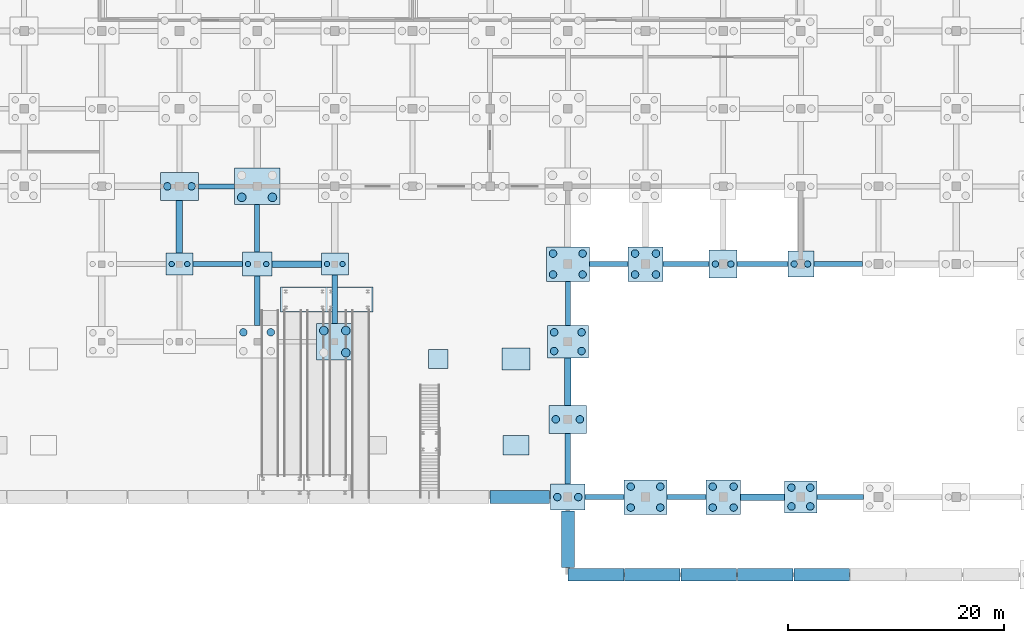
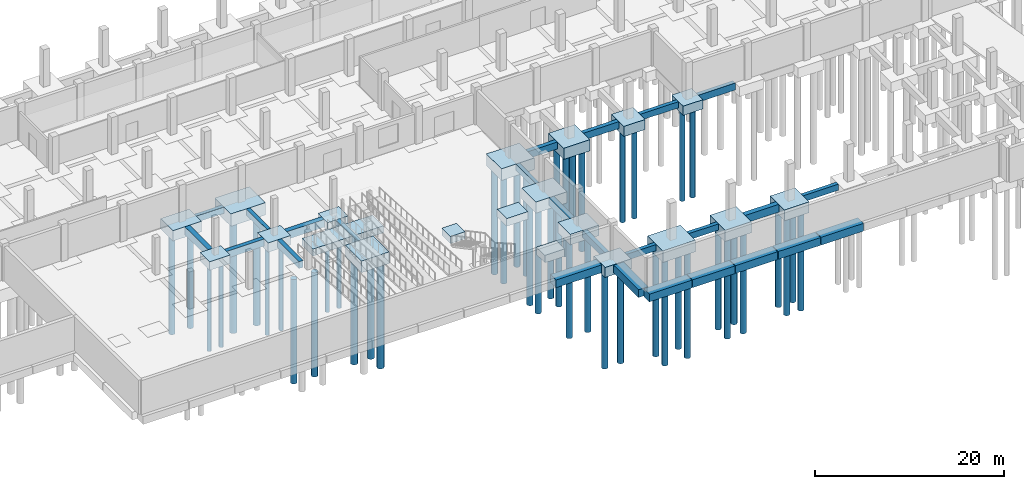
# One storey, part 4 of 38: 47 piles, 45 footings.
"""IFC4 building model written with IfcOpenShell, lengths in metres."""

from ifc_helpers import new_model, si_unit, direction, frame, origin, origin_2d, place, context, subcontext, project, spatial, rectangle, circle, extrude, material, material_profile, profile_set, type_object, element, save


model = new_model("IFC4")

# Units and contexts
model_context = context("Model", 3, precision=1e-05, world=origin(), true_north=direction((0.0, 1.0)))
body_context = subcontext(model_context, "Body", "Model", "MODEL_VIEW")
ifc_project = project(units=[si_unit("LENGTHUNIT", "METRE"), si_unit("AREAUNIT", "SQUARE_METRE"), si_unit("VOLUMEUNIT", "CUBIC_METRE"), si_unit("PLANEANGLEUNIT", "RADIAN"), si_unit("MASSUNIT", "GRAM", prefix="KILO")], contexts=[model_context])

# Site, building, storey
site_placement = place(None, origin())
site = spatial("IfcSite", under=ifc_project, at=site_placement, CompositionType="ELEMENT")
building_placement = place(site_placement, origin())
building = spatial("IfcBuilding", under=site, at=building_placement, Name="Valkovuoma Quantum and Materials Research Institute", CompositionType="ELEMENT")
storey_placement = place(building_placement, frame((0.0, 0.0, -4.800048828125)))
storey = spatial("IfcBuildingStorey", under=building, at=storey_placement, Name="B1", CompositionType="ELEMENT", Elevation=-4.800048828125)

# Footings
ifc_material_1 = material(Name="Concrete C35/45", Category="concrete")
footing_type_1 = type_object("IfcFootingType", Name="Cap-PC-01", PredefinedType="PILE_CAP", material=ifc_material_1)
for number, where, z_axis, x_axis, name in (
    (1, (64.800048828125, 28.800048828125, -1.10009765625), (0.0, 0.0, 1.0), (1.0, 0.0, 0.0), "B1 pile cap 10E"),
    (2, (79.199951171875, 28.800048828125, -1.10009765625), (0.0, 0.0, 1.0), (1.0, 0.0, 0.0), "B1 pile cap 12E"),
):
    element("IfcFooting", number, at=place(storey_placement, frame(where, z_axis=z_axis, x_axis=x_axis)), inside=storey, type_object=footing_type_1, Name=name, PredefinedType="PILE_CAP", context=body_context, shape_type="SweptSolid", body=[
        extrude(rectangle(XDim=2.5, YDim=2.0, at=origin_2d()), origin(), (0.0, 0.0, 1.0), 1.10009765625),
    ])
ifc_material_2 = material(Name="Concrete C35/45", Category="concrete")
footing_type_2 = type_object("IfcFootingType", Name="Cap-PC-02", PredefinedType="PILE_CAP", material=ifc_material_2)
footing_1_placement = place(storey_placement, frame((72.0, 28.800048828125, -1.19970703125), z_axis=(0.0, 0.0, 1.0), x_axis=(1.0, 0.0, 0.0)))
element("IfcFooting", 3, at=footing_1_placement, inside=storey, type_object=footing_type_2, Name="B1 pile cap 11E", PredefinedType="PILE_CAP", context=body_context, shape_type="SweptSolid", body=[
    extrude(rectangle(XDim=2.75, YDim=2.199951171875, at=origin_2d()), origin(), (0.0, 0.0, 1.0), 1.199951171875),
])
ifc_material_3 = material(Name="Concrete C35/45", Category="concrete")
footing_type_3 = type_object("IfcFootingType", Name="Cap-PC-03", PredefinedType="PILE_CAP", material=ifc_material_3)
footing_2_placement = place(storey_placement, frame((122.39990234375, 28.800048828125, -1.19970703125), z_axis=(0.0, 0.0, 1.0), x_axis=(1.0, 0.0, 0.0)))
element("IfcFooting", 4, at=footing_2_placement, inside=storey, type_object=footing_type_3, Name="B1 pile cap 18E", PredefinedType="PILE_CAP", context=body_context, shape_type="SweptSolid", body=[
    extrude(rectangle(XDim=2.39990234375, YDim=2.39990234375, at=origin_2d()), origin(), (0.0, 0.0, 1.0), 1.199951171875),
])
ifc_material_4 = material(Name="Concrete C35/45", Category="concrete")
footing_type_4 = type_object("IfcFootingType", Name="Cap-PC-04", PredefinedType="PILE_CAP", material=ifc_material_4)
footing_3_placement = place(storey_placement, frame((115.199951171875, 28.800048828125, -1.2998046875), z_axis=(0.0, 0.0, 1.0), x_axis=(1.0, 0.0, 0.0)))
element("IfcFooting", 5, at=footing_3_placement, inside=storey, type_object=footing_type_4, Name="B1 pile cap 17E", PredefinedType="PILE_CAP", context=body_context, shape_type="SweptSolid", body=[
    extrude(rectangle(XDim=2.60009765625, YDim=2.60009765625, at=origin_2d()), origin(), (0.0, 0.0, 1.0), 1.300048828125),
])
ifc_material_5 = material(Name="Concrete C35/45", Category="concrete")
footing_type_5 = type_object("IfcFootingType", Name="Cap-PC-06", PredefinedType="PILE_CAP", material=ifc_material_5)
footing_4_placement = place(storey_placement, frame((122.39990234375, 7.199951171875, -1.39990234375), z_axis=(0.0, 0.0, 1.0), x_axis=(1.0, 0.0, 0.0)))
element("IfcFooting", 6, at=footing_4_placement, inside=storey, type_object=footing_type_5, Name="B1 pile cap 18B", PredefinedType="PILE_CAP", context=body_context, shape_type="SweptSolid", body=[
    extrude(rectangle(XDim=3.0, YDim=3.0, at=origin_2d()), origin(), (0.0, 0.0, 1.0), 1.39990234375),
])
ifc_material_6 = material(Name="Concrete C35/45", Category="concrete")
footing_type_6 = type_object("IfcFootingType", Name="Cap-PC-07", PredefinedType="PILE_CAP", material=ifc_material_6)
for number, where, z_axis, x_axis, name in (
    (7, (108.0, 28.800048828125, -1.44970703125), (0.0, 0.0, 1.0), (1.0, 0.0, 0.0), "B1 pile cap 16E"),
    (8, (115.199951171875, 7.199951171875, -1.44970703125), (0.0, 0.0, 1.0), (1.0, 0.0, 0.0), "B1 pile cap 17B"),
):
    element("IfcFooting", number, at=place(storey_placement, frame(where, z_axis=z_axis, x_axis=x_axis)), inside=storey, type_object=footing_type_6, Name=name, PredefinedType="PILE_CAP", context=body_context, shape_type="SweptSolid", body=[
        extrude(rectangle(XDim=3.199951171875, YDim=3.199951171875, at=origin_2d()), origin(), (0.0, 0.0, 1.0), 1.449951171875),
    ])
ifc_material_7 = material(Name="Concrete C35/45", Category="concrete")
footing_type_7 = type_object("IfcFootingType", Name="Cap-PC-08", PredefinedType="PILE_CAP", material=ifc_material_7)
footing_5_placement = place(storey_placement, frame((79.199951171875, 21.60009765625, -1.5), z_axis=(0.0, 0.0, 1.0), x_axis=(1.0, 0.0, 0.0)))
element("IfcFooting", 9, at=footing_5_placement, inside=storey, type_object=footing_type_7, Name="B1 pile cap 12D", PredefinedType="PILE_CAP", context=body_context, shape_type="SweptSolid", body=[
    extrude(rectangle(XDim=3.39990234375, YDim=3.39990234375, at=origin_2d()), origin(), (0.0, 0.0, 1.0), 1.5),
])
ifc_material_8 = material(Name="Concrete C35/45", Category="concrete")
footing_type_8 = type_object("IfcFootingType", Name="Cap-PC-12", PredefinedType="PILE_CAP", material=ifc_material_8)
footing_6_placement = place(storey_placement, frame((100.800048828125, 7.199951171875, -1.2998046875), z_axis=(0.0, 0.0, 1.0), x_axis=(1.0, 0.0, 0.0)))
element("IfcFooting", 10, at=footing_6_placement, inside=storey, type_object=footing_type_8, Name="B1 pile cap 15B", PredefinedType="PILE_CAP", context=body_context, shape_type="SweptSolid", body=[
    extrude(rectangle(XDim=3.199951171875, YDim=2.39990234375, at=origin_2d()), origin(), (0.0, 0.0, 1.0), 1.300048828125),
])
ifc_material_9 = material(Name="Concrete C35/45", Category="concrete")
footing_type_9 = type_object("IfcFootingType", Name="Cap-PC-13", PredefinedType="PILE_CAP", material=ifc_material_9)
for number, where, z_axis, x_axis, name in (
    (11, (64.800048828125, 36.0, -1.35009765625), (0.0, 0.0, 1.0), (1.0, 0.0, 0.0), "B1 pile cap 10F"),
    (12, (100.800048828125, 14.39990234375, -1.35009765625), (0.0, 0.0, 1.0), (1.0, 0.0, 0.0), "B1 pile cap 15C"),
):
    element("IfcFooting", number, at=place(storey_placement, frame(where, z_axis=z_axis, x_axis=x_axis)), inside=storey, type_object=footing_type_9, Name=name, PredefinedType="PILE_CAP", context=body_context, shape_type="SweptSolid", body=[
        extrude(rectangle(XDim=3.5, YDim=2.60009765625, at=origin_2d()), origin(), (0.0, 0.0, 1.0), 1.35009765625),
    ])
ifc_material_10 = material(Name="Concrete C35/45", Category="concrete")
footing_type_10 = type_object("IfcFootingType", Name="Cap-PC-14", PredefinedType="PILE_CAP", material=ifc_material_10)
footing_7_placement = place(storey_placement, frame((100.800048828125, 21.60009765625, -1.44970703125), z_axis=(0.0, 0.0, 1.0), x_axis=(1.0, 0.0, 0.0)))
element("IfcFooting", 13, at=footing_7_placement, inside=storey, type_object=footing_type_10, Name="B1 pile cap 15D", PredefinedType="PILE_CAP", context=body_context, shape_type="SweptSolid", body=[
    extrude(rectangle(XDim=3.800048828125, YDim=3.0, at=origin_2d()), origin(), (0.0, 0.0, 1.0), 1.449951171875),
])
ifc_material_11 = material(Name="Concrete C35/45", Category="concrete")
footing_type_11 = type_object("IfcFootingType", Name="Cap-PC-15", PredefinedType="PILE_CAP", material=ifc_material_11)
for number, where, z_axis, x_axis, name in (
    (14, (100.800048828125, 28.800048828125, -1.5), (0.0, 0.0, 1.0), (1.0, 0.0, 0.0), "B1 pile cap 15E"),
    (15, (108.0, 7.199951171875, -1.5), (0.0, 0.0, 1.0), (1.0, 0.0, 0.0), "B1 pile cap 16B"),
):
    element("IfcFooting", number, at=place(storey_placement, frame(where, z_axis=z_axis, x_axis=x_axis)), inside=storey, type_object=footing_type_11, Name=name, PredefinedType="PILE_CAP", context=body_context, shape_type="SweptSolid", body=[
        extrude(rectangle(XDim=4.0, YDim=3.199951171875, at=origin_2d()), origin(), (0.0, 0.0, 1.0), 1.5),
    ])
ifc_material_12 = material(Name="Concrete C35/45", Category="concrete")
footing_type_12 = type_object("IfcFootingType", Name="Cap-PC-16", PredefinedType="PILE_CAP", material=ifc_material_12)
footing_8_placement = place(storey_placement, frame((72.0, 36.0, -1.60009765625), z_axis=(0.0, 0.0, 1.0), x_axis=(1.0, 0.0, 0.0)))
element("IfcFooting", 16, at=footing_8_placement, inside=storey, type_object=footing_type_12, Name="B1 pile cap 11F", PredefinedType="PILE_CAP", context=body_context, shape_type="SweptSolid", body=[
    extrude(rectangle(XDim=4.199951171875, YDim=3.39990234375, at=origin_2d()), origin(), (0.0, 0.0, 1.0), 1.60009765625),
])
ifc_material_13 = material(Name="Concrete C35/45", Category="concrete")
footing_type_13 = type_object("IfcFootingType", Name="GndBeam-FB-01", PredefinedType="FOOTING_BEAM", material=ifc_material_13)
footing_9_placement = place(storey_placement, frame((68.22509765625, 36.0, -0.7998046875), z_axis=(0.0, 0.0, 1.0), x_axis=(1.0, 0.0, 0.0)))
element("IfcFooting", 17, at=footing_9_placement, inside=storey, type_object=footing_type_13, Name="B1 ground tie beam X-177", PredefinedType="FOOTING_BEAM", context=body_context, shape_type="SweptSolid", body=[
    extrude(rectangle(XDim=3.35009765625, YDim=0.449951171875, at=origin_2d()), origin(), (0.0, 0.0, 1.0), 0.800048828125),
])
footing_10_placement = place(storey_placement, frame((72.0, 32.10009765625, -0.7998046875), z_axis=(0.0, 0.0, 1.0), x_axis=(0.0, 1.0, 0.0)))
element("IfcFooting", 18, at=footing_10_placement, inside=storey, type_object=footing_type_13, Name="B1 ground tie beam Y-189", PredefinedType="FOOTING_BEAM", context=body_context, shape_type="SweptSolid", body=[
    extrude(rectangle(XDim=4.39990234375, YDim=0.449951171875, at=origin_2d()), origin(), (0.0, 0.0, 1.0), 0.800048828125),
])
footing_11_placement = place(storey_placement, frame((104.199951171875, 7.199951171875, -0.7998046875), z_axis=(0.0, 0.0, 1.0), x_axis=(1.0, 0.0, 0.0)))
element("IfcFooting", 19, at=footing_11_placement, inside=storey, type_object=footing_type_13, Name="B1 ground tie beam X-228", PredefinedType="FOOTING_BEAM", context=body_context, shape_type="SweptSolid", body=[
    extrude(rectangle(XDim=3.60009765625, YDim=0.449951171875, at=origin_2d()), origin(), (0.0, 0.0, 1.0), 0.800048828125),
])
footing_12_placement = place(storey_placement, frame((100.800048828125, 25.14990234375, -0.7998046875), z_axis=(0.0, 0.0, 1.0), x_axis=(0.0, 1.0, 0.0)))
element("IfcFooting", 20, at=footing_12_placement, inside=storey, type_object=footing_type_13, Name="B1 ground tie beam Y-231", PredefinedType="FOOTING_BEAM", context=body_context, shape_type="SweptSolid", body=[
    extrude(rectangle(XDim=4.10009765625, YDim=0.449951171875, at=origin_2d()), origin(), (0.0, 0.0, 1.0), 0.800048828125),
])
footing_13_placement = place(storey_placement, frame((111.800048828125, 7.199951171875, -0.7998046875), z_axis=(0.0, 0.0, 1.0), x_axis=(1.0, 0.0, 0.0)))
element("IfcFooting", 21, at=footing_13_placement, inside=storey, type_object=footing_type_13, Name="B1 ground tie beam X-243", PredefinedType="FOOTING_BEAM", context=body_context, shape_type="SweptSolid", body=[
    extrude(rectangle(XDim=3.60009765625, YDim=0.449951171875, at=origin_2d()), origin(), (0.0, 0.0, 1.0), 0.800048828125),
])
footing_14_placement = place(storey_placement, frame((118.85009765625, 28.800048828125, -0.7998046875), z_axis=(0.0, 0.0, 1.0), x_axis=(1.0, 0.0, 0.0)))
element("IfcFooting", 22, at=footing_14_placement, inside=storey, type_object=footing_type_13, Name="B1 ground tie beam X-255", PredefinedType="FOOTING_BEAM", context=body_context, shape_type="SweptSolid", body=[
    extrude(rectangle(XDim=4.699951171875, YDim=0.449951171875, at=origin_2d()), origin(), (0.0, 0.0, 1.0), 0.800048828125),
])
footing_15_placement = place(storey_placement, frame((126.050048828125, 7.199951171875, -0.7998046875), z_axis=(0.0, 0.0, 1.0), x_axis=(1.0, 0.0, 0.0)))
element("IfcFooting", 23, at=footing_15_placement, inside=storey, type_object=footing_type_13, Name="B1 ground tie beam X-264", PredefinedType="FOOTING_BEAM", context=body_context, shape_type="SweptSolid", body=[
    extrude(rectangle(XDim=4.300048828125, YDim=0.449951171875, at=origin_2d()), origin(), (0.0, 0.0, 1.0), 0.800048828125),
])
ifc_material_14 = material(Name="Concrete C35/45", Category="concrete")
footing_type_14 = type_object("IfcFootingType", Name="GndBeam-FB-02", PredefinedType="FOOTING_BEAM", material=ifc_material_14)
footing_16_placement = place(storey_placement, frame((68.33740234375, 28.800048828125, -0.89990234375), z_axis=(0.0, 0.0, 1.0), x_axis=(1.0, 0.0, 0.0)))
element("IfcFooting", 24, at=footing_16_placement, inside=storey, type_object=footing_type_14, Name="B1 ground tie beam X-175", PredefinedType="FOOTING_BEAM", context=body_context, shape_type="SweptSolid", body=[
    extrude(rectangle(XDim=4.574951171875, YDim=0.5, at=origin_2d()), origin(), (0.0, 0.0, 1.0), 0.89990234375),
])
footing_17_placement = place(storey_placement, frame((72.0, 25.39990234375, -0.89990234375), z_axis=(0.0, 0.0, 1.0), x_axis=(0.0, 1.0, 0.0)))
element("IfcFooting", 25, at=footing_17_placement, inside=storey, type_object=footing_type_14, Name="B1 ground tie beam Y-187", PredefinedType="FOOTING_BEAM", context=body_context, shape_type="SweptSolid", body=[
    extrude(rectangle(XDim=4.60009765625, YDim=0.5, at=origin_2d()), origin(), (0.0, 0.0, 1.0), 0.89990234375),
])
footing_18_placement = place(storey_placement, frame((79.199951171875, 25.550048828125, -0.89990234375), z_axis=(0.0, 0.0, 1.0), x_axis=(0.0, 1.0, 0.0)))
element("IfcFooting", 26, at=footing_18_placement, inside=storey, type_object=footing_type_14, Name="B1 ground tie beam Y-199", PredefinedType="FOOTING_BEAM", context=body_context, shape_type="SweptSolid", body=[
    extrude(rectangle(XDim=4.5, YDim=0.5, at=origin_2d()), origin(), (0.0, 0.0, 1.0), 0.89990234375),
])
footing_19_placement = place(storey_placement, frame((100.800048828125, 10.75, -0.89990234375), z_axis=(0.0, 0.0, 1.0), x_axis=(0.0, 1.0, 0.0)))
element("IfcFooting", 27, at=footing_19_placement, inside=storey, type_object=footing_type_14, Name="B1 ground tie beam Y-229", PredefinedType="FOOTING_BEAM", context=body_context, shape_type="SweptSolid", body=[
    extrude(rectangle(XDim=4.699951171875, YDim=0.5, at=origin_2d()), origin(), (0.0, 0.0, 1.0), 0.89990234375),
])
footing_20_placement = place(storey_placement, frame((104.60009765625, 28.800048828125, -0.89990234375), z_axis=(0.0, 0.0, 1.0), x_axis=(1.0, 0.0, 0.0)))
element("IfcFooting", 28, at=footing_20_placement, inside=storey, type_object=footing_type_14, Name="B1 ground tie beam X-232", PredefinedType="FOOTING_BEAM", context=body_context, shape_type="SweptSolid", body=[
    extrude(rectangle(XDim=3.60009765625, YDim=0.5, at=origin_2d()), origin(), (0.0, 0.0, 1.0), 0.89990234375),
])
footing_21_placement = place(storey_placement, frame((111.75, 28.800048828125, -0.89990234375), z_axis=(0.0, 0.0, 1.0), x_axis=(1.0, 0.0, 0.0)))
element("IfcFooting", 29, at=footing_21_placement, inside=storey, type_object=footing_type_14, Name="B1 ground tie beam X-244", PredefinedType="FOOTING_BEAM", context=body_context, shape_type="SweptSolid", body=[
    extrude(rectangle(XDim=4.300048828125, YDim=0.5, at=origin_2d()), origin(), (0.0, 0.0, 1.0), 0.89990234375),
])
footing_22_placement = place(storey_placement, frame((125.85009765625, 28.800048828125, -0.89990234375), z_axis=(0.0, 0.0, 1.0), x_axis=(1.0, 0.0, 0.0)))
element("IfcFooting", 30, at=footing_22_placement, inside=storey, type_object=footing_type_14, Name="B1 ground tie beam X-265", PredefinedType="FOOTING_BEAM", context=body_context, shape_type="SweptSolid", body=[
    extrude(rectangle(XDim=4.5, YDim=0.5, at=origin_2d()), origin(), (0.0, 0.0, 1.0), 0.89990234375),
])
ifc_material_15 = material(Name="Concrete C35/45", Category="concrete")
footing_type_15 = type_object("IfcFootingType", Name="GndBeam-FB-03", PredefinedType="FOOTING_BEAM", material=ifc_material_15)
footing_23_placement = place(storey_placement, frame((64.800048828125, 32.25, -1.0), z_axis=(0.0, 0.0, 1.0), x_axis=(0.0, 1.0, 0.0)))
element("IfcFooting", 31, at=footing_23_placement, inside=storey, type_object=footing_type_15, Name="B1 ground tie beam Y-176", PredefinedType="FOOTING_BEAM", context=body_context, shape_type="SweptSolid", body=[
    extrude(rectangle(XDim=4.89990234375, YDim=0.60009765625, at=origin_2d()), origin(), (0.0, 0.0, 1.0), 1.0),
])
footing_24_placement = place(storey_placement, frame((75.66259765625, 28.800048828125, -1.0), z_axis=(0.0, 0.0, 1.0), x_axis=(1.0, 0.0, 0.0)))
element("IfcFooting", 32, at=footing_24_placement, inside=storey, type_object=footing_type_15, Name="B1 ground tie beam X-188", PredefinedType="FOOTING_BEAM", context=body_context, shape_type="SweptSolid", body=[
    extrude(rectangle(XDim=4.574951171875, YDim=0.60009765625, at=origin_2d()), origin(), (0.0, 0.0, 1.0), 1.0),
])
footing_25_placement = place(storey_placement, frame((100.800048828125, 17.89990234375, -1.0), z_axis=(0.0, 0.0, 1.0), x_axis=(0.0, 1.0, 0.0)))
element("IfcFooting", 33, at=footing_25_placement, inside=storey, type_object=footing_type_15, Name="B1 ground tie beam Y-230", PredefinedType="FOOTING_BEAM", context=body_context, shape_type="SweptSolid", body=[
    extrude(rectangle(XDim=4.39990234375, YDim=0.60009765625, at=origin_2d()), origin(), (0.0, 0.0, 1.0), 1.0),
])
footing_26_placement = place(storey_placement, frame((118.85009765625, 7.199951171875, -1.0), z_axis=(0.0, 0.0, 1.0), x_axis=(1.0, 0.0, 0.0)))
element("IfcFooting", 34, at=footing_26_placement, inside=storey, type_object=footing_type_15, Name="B1 ground tie beam X-254", PredefinedType="FOOTING_BEAM", context=body_context, shape_type="SweptSolid", body=[
    extrude(rectangle(XDim=4.10009765625, YDim=0.60009765625, at=origin_2d()), origin(), (0.0, 0.0, 1.0), 1.0),
])
footing_27_placement = place(storey_placement, frame((78.449951171875, 25.510009765625, -0.89990234375), z_axis=(0.0, 0.0, 1.0), x_axis=(1.0, 0.0, 0.0)))
element("IfcFooting", 35, at=footing_27_placement, inside=storey, type_object=footing_type_15, Name="B1 north ramp landing combined strip footing", PredefinedType="FOOTING_BEAM", context=body_context, shape_type="SweptSolid", body=[
    extrude(rectangle(XDim=8.60009765625, YDim=2.300048828125, at=origin_2d()), origin(), (0.0, 0.0, 1.0), 0.89990234375),
])
ifc_material_16 = material(Name="Concrete C35/45", Category="concrete")
footing_type_16 = type_object("IfcFootingType", Name="Pad-PF-02", PredefinedType="PAD_FOOTING", material=ifc_material_16)
footing_28_placement = place(storey_placement, frame((88.800048828125, 20.0, -0.89990234375), z_axis=(0.0, 0.0, 1.0), x_axis=(1.0, 0.0, 0.0)))
element("IfcFooting", 36, at=footing_28_placement, inside=storey, type_object=footing_type_16, Name="B1 pad footing 06", PredefinedType="PAD_FOOTING", context=body_context, shape_type="SweptSolid", body=[
    extrude(rectangle(XDim=1.800048828125, YDim=1.800048828125, at=origin_2d()), origin(), (0.0, 0.0, 1.0), 0.89990234375),
])
ifc_material_17 = material(Name="Concrete C35/45", Category="concrete")
footing_type_17 = type_object("IfcFootingType", Name="Pad-PF-03", PredefinedType="PAD_FOOTING", material=ifc_material_17)
footing_29_placement = place(storey_placement, frame((96.0, 12.0, -0.94970703125), z_axis=(0.0, 0.0, 1.0), x_axis=(1.0, 0.0, 0.0)))
element("IfcFooting", 37, at=footing_29_placement, inside=storey, type_object=footing_type_17, Name="B1 pad footing 07", PredefinedType="PAD_FOOTING", context=body_context, shape_type="SweptSolid", body=[
    extrude(rectangle(XDim=2.39990234375, YDim=1.800048828125, at=origin_2d()), origin(), (0.0, 0.0, 1.0), 0.949951171875),
])
ifc_material_18 = material(Name="Concrete C35/45", Category="concrete")
footing_type_18 = type_object("IfcFootingType", Name="Pad-PF-04", PredefinedType="PAD_FOOTING", material=ifc_material_18)
footing_30_placement = place(storey_placement, frame((96.0, 20.0, -1.0), z_axis=(0.0, 0.0, 1.0), x_axis=(1.0, 0.0, 0.0)))
element("IfcFooting", 38, at=footing_30_placement, inside=storey, type_object=footing_type_18, Name="B1 pad footing 08", PredefinedType="PAD_FOOTING", context=body_context, shape_type="SweptSolid", body=[
    extrude(rectangle(XDim=2.60009765625, YDim=2.0, at=origin_2d()), origin(), (0.0, 0.0, 1.0), 1.0),
])
footing_31_placement = place(storey_placement, frame((103.393798828125, 0.0, -1.0), z_axis=(0.0, 0.0, 1.0), x_axis=(1.0, 0.0, 0.0)))
element("IfcFooting", 39, at=footing_31_placement, inside=storey, type_object=footing_type_18, Name="B1 retaining wall pad footing 037", PredefinedType="PAD_FOOTING", context=body_context, shape_type="SweptSolid", body=[
    extrude(rectangle(XDim=5.1875, YDim=1.199951171875, at=origin_2d()), origin(), (0.0, 0.0, 1.0), 1.0),
])
for number, where, z_axis, x_axis, name in (
    (40, (108.64111328125, 0.0, -1.0), (0.0, 0.0, 1.0), (1.0, 0.0, 0.0), "B1 retaining wall pad footing 038"),
    (41, (113.86865234375, 0.0, -1.0), (0.0, 0.0, 1.0), (1.0, 0.0, 0.0), "B1 retaining wall pad footing 039"),
    (42, (119.09619140625, 0.0, -1.0), (0.0, 0.0, 1.0), (1.0, 0.0, 0.0), "B1 retaining wall pad footing 040"),
    (43, (124.32373046875, 0.0, -1.0), (0.0, 0.0, 1.0), (1.0, 0.0, 0.0), "B1 retaining wall pad footing 041"),
):
    element("IfcFooting", number, at=place(storey_placement, frame(where, z_axis=z_axis, x_axis=x_axis)), inside=storey, type_object=footing_type_18, Name=name, PredefinedType="PAD_FOOTING", context=body_context, shape_type="SweptSolid", body=[
        extrude(rectangle(XDim=5.1474609375, YDim=1.199951171875, at=origin_2d()), origin(), (0.0, 0.0, 1.0), 1.0),
    ])
footing_32_placement = place(storey_placement, frame((96.343994140625, 7.199951171875, -1.0), z_axis=(0.0, 0.0, 1.0), x_axis=(1.0, 0.0, 0.0)))
element("IfcFooting", 44, at=footing_32_placement, inside=storey, type_object=footing_type_18, Name="B1 retaining wall pad footing 061", PredefinedType="PAD_FOOTING", context=body_context, shape_type="SweptSolid", body=[
    extrude(rectangle(XDim=5.552001953125, YDim=1.199951171875, at=origin_2d()), origin(), (0.0, 0.0, 1.0), 1.0),
])
footing_33_placement = place(storey_placement, frame((100.800048828125, 3.300048828125, -1.0), z_axis=(0.0, 0.0, 1.0), x_axis=(0.0, 1.0, 0.0)))
element("IfcFooting", 45, at=footing_33_placement, inside=storey, type_object=footing_type_18, Name="B1 retaining wall pad footing 064", PredefinedType="PAD_FOOTING", context=body_context, shape_type="SweptSolid", body=[
    extrude(rectangle(XDim=5.239990234375, YDim=1.199951171875, at=origin_2d()), origin(), (0.0, 0.0, 1.0), 1.0),
])

# Piles
ifc_material_19 = material(Name="Concrete C40/50", Category="concrete")
ifc_material_profile_1 = material_profile(ifc_material_19, circle(Radius=0.300048828125, at=origin_2d()), Name="Concrete C40/50")
ifc_profile_set_1 = profile_set([ifc_material_profile_1], Name="Concrete C40/50")
pile_type_1 = type_object("IfcPileType", Name="Pile-PL-B600", PredefinedType="BORED", material=ifc_profile_set_1)
for number, where, z_axis, x_axis, name in (
    (46, (114.47998046875, 28.800048828125, -1.199951171875), (0.0, 0.0, -1.0), (1.0, 0.0, 0.0), "B1 pile 17E-1"),
    (47, (115.919921875, 28.800048828125, -1.199951171875), (0.0, 0.0, -1.0), (1.0, 0.0, 0.0), "B1 pile 17E-2"),
):
    element("IfcPile", number, at=place(storey_placement, frame(where, z_axis=z_axis, x_axis=x_axis)), inside=storey, type_object=pile_type_1, Name=name, PredefinedType="BORED", context=body_context, shape_type="SweptSolid", body=[
        extrude(circle(Radius=0.300048828125, at=origin_2d()), origin(), (0.0, 0.0, 1.0), 12.0),
    ])
for number, where, z_axis, x_axis, name in (
    (48, (121.780029296875, 28.800048828125, -1.099853515625), (0.0, 0.0, -1.0), (1.0, 0.0, 0.0), "B1 pile 18E-1"),
    (49, (123.02001953125, 28.800048828125, -1.099853515625), (0.0, 0.0, -1.0), (1.0, 0.0, 0.0), "B1 pile 18E-2"),
):
    element("IfcPile", number, at=place(storey_placement, frame(where, z_axis=z_axis, x_axis=x_axis)), inside=storey, type_object=pile_type_1, Name=name, PredefinedType="BORED", context=body_context, shape_type="SweptSolid", body=[
        extrude(circle(Radius=0.300048828125, at=origin_2d()), origin(), (0.0, 0.0, 1.0), 11.89990234375),
    ])
ifc_material_20 = material(Name="Concrete C40/50", Category="concrete")
ifc_material_profile_2 = material_profile(ifc_material_20, circle(Radius=0.35009765625, at=origin_2d()), Name="Concrete C40/50")
ifc_profile_set_2 = profile_set([ifc_material_profile_2], Name="Concrete C40/50")
pile_type_2 = type_object("IfcPileType", Name="Pile-PL-B700", PredefinedType="BORED", material=ifc_profile_set_2)
for number, where, z_axis, x_axis, name in (
    (50, (63.679931640625, 36.0, -1.25), (0.0, 0.0, -1.0), (1.0, 0.0, 0.0), "B1 pile 10F-1"),
    (51, (65.919921875, 36.0, -1.25), (0.0, 0.0, -1.0), (1.0, 0.0, 0.0), "B1 pile 10F-2"),
):
    element("IfcPile", number, at=place(storey_placement, frame(where, z_axis=z_axis, x_axis=x_axis)), inside=storey, type_object=pile_type_2, Name=name, PredefinedType="BORED", context=body_context, shape_type="SweptSolid", body=[
        extrude(circle(Radius=0.35009765625, at=origin_2d()), origin(), (0.0, 0.0, 1.0), 12.949951171875),
    ])
for number, where, z_axis, x_axis, name in (
    (52, (70.72998046875, 22.469970703125, -1.349853515625), (0.0, 0.0, -1.0), (1.0, 0.0, 0.0), "B1 pile 11D-3"),
    (53, (73.27001953125, 22.469970703125, -1.349853515625), (0.0, 0.0, -1.0), (1.0, 0.0, 0.0), "B1 pile 11D-4"),
):
    element("IfcPile", number, at=place(storey_placement, frame(where, z_axis=z_axis, x_axis=x_axis)), inside=storey, type_object=pile_type_2, Name=name, PredefinedType="BORED", context=body_context, shape_type="SweptSolid", body=[
        extrude(circle(Radius=0.35009765625, at=origin_2d()), origin(), (0.0, 0.0, 1.0), 13.449951171875),
    ])
for number, where, z_axis, x_axis, name in (
    (54, (99.830078125, 7.199951171875, -1.199951171875), (0.0, 0.0, -1.0), (1.0, 0.0, 0.0), "B1 pile 15B-1"),
    (55, (101.77001953125, 7.199951171875, -1.199951171875), (0.0, 0.0, -1.0), (1.0, 0.0, 0.0), "B1 pile 15B-2"),
):
    element("IfcPile", number, at=place(storey_placement, frame(where, z_axis=z_axis, x_axis=x_axis)), inside=storey, type_object=pile_type_2, Name=name, PredefinedType="BORED", context=body_context, shape_type="SweptSolid", body=[
        extrude(circle(Radius=0.35009765625, at=origin_2d()), origin(), (0.0, 0.0, 1.0), 12.60009765625),
    ])
for number, where, z_axis, x_axis, name in (
    (56, (99.679931640625, 14.39990234375, -1.25), (0.0, 0.0, -1.0), (1.0, 0.0, 0.0), "B1 pile 15C-1"),
    (57, (101.919921875, 14.39990234375, -1.25), (0.0, 0.0, -1.0), (1.0, 0.0, 0.0), "B1 pile 15C-2"),
):
    element("IfcPile", number, at=place(storey_placement, frame(where, z_axis=z_axis, x_axis=x_axis)), inside=storey, type_object=pile_type_2, Name=name, PredefinedType="BORED", context=body_context, shape_type="SweptSolid", body=[
        extrude(circle(Radius=0.35009765625, at=origin_2d()), origin(), (0.0, 0.0, 1.0), 12.949951171875),
    ])
for number, where, z_axis, x_axis, name in (
    (58, (99.530029296875, 20.72998046875, -1.349853515625), (0.0, 0.0, -1.0), (1.0, 0.0, 0.0), "B1 pile 15D-1"),
    (59, (102.070068359375, 20.72998046875, -1.349853515625), (0.0, 0.0, -1.0), (1.0, 0.0, 0.0), "B1 pile 15D-2"),
    (60, (99.530029296875, 22.469970703125, -1.349853515625), (0.0, 0.0, -1.0), (1.0, 0.0, 0.0), "B1 pile 15D-3"),
    (61, (102.070068359375, 22.469970703125, -1.349853515625), (0.0, 0.0, -1.0), (1.0, 0.0, 0.0), "B1 pile 15D-4"),
):
    element("IfcPile", number, at=place(storey_placement, frame(where, z_axis=z_axis, x_axis=x_axis)), inside=storey, type_object=pile_type_2, Name=name, PredefinedType="BORED", context=body_context, shape_type="SweptSolid", body=[
        extrude(circle(Radius=0.35009765625, at=origin_2d()), origin(), (0.0, 0.0, 1.0), 13.449951171875),
    ])
for number, where, z_axis, x_axis, name in (
    (62, (99.429931640625, 27.830078125, -1.39990234375), (0.0, 0.0, -1.0), (1.0, 0.0, 0.0), "B1 pile 15E-1"),
    (63, (102.169921875, 27.830078125, -1.39990234375), (0.0, 0.0, -1.0), (1.0, 0.0, 0.0), "B1 pile 15E-2"),
    (64, (99.429931640625, 29.77001953125, -1.39990234375), (0.0, 0.0, -1.0), (1.0, 0.0, 0.0), "B1 pile 15E-3"),
    (65, (102.169921875, 29.77001953125, -1.39990234375), (0.0, 0.0, -1.0), (1.0, 0.0, 0.0), "B1 pile 15E-4"),
    (66, (106.6298828125, 6.22998046875, -1.39990234375), (0.0, 0.0, -1.0), (1.0, 0.0, 0.0), "B1 pile 16B-1"),
    (67, (109.3701171875, 6.22998046875, -1.39990234375), (0.0, 0.0, -1.0), (1.0, 0.0, 0.0), "B1 pile 16B-2"),
    (68, (106.6298828125, 8.169921875, -1.39990234375), (0.0, 0.0, -1.0), (1.0, 0.0, 0.0), "B1 pile 16B-3"),
    (69, (109.3701171875, 8.169921875, -1.39990234375), (0.0, 0.0, -1.0), (1.0, 0.0, 0.0), "B1 pile 16B-4"),
):
    element("IfcPile", number, at=place(storey_placement, frame(where, z_axis=z_axis, x_axis=x_axis)), inside=storey, type_object=pile_type_2, Name=name, PredefinedType="BORED", context=body_context, shape_type="SweptSolid", body=[
        extrude(circle(Radius=0.35009765625, at=origin_2d()), origin(), (0.0, 0.0, 1.0), 13.800048828125),
    ])
for number, where, z_axis, x_axis, name in (
    (70, (107.030029296875, 27.830078125, -1.349853515625), (0.0, 0.0, -1.0), (1.0, 0.0, 0.0), "B1 pile 16E-1"),
    (71, (108.969970703125, 27.830078125, -1.349853515625), (0.0, 0.0, -1.0), (1.0, 0.0, 0.0), "B1 pile 16E-2"),
    (72, (107.030029296875, 29.77001953125, -1.349853515625), (0.0, 0.0, -1.0), (1.0, 0.0, 0.0), "B1 pile 16E-3"),
    (73, (108.969970703125, 29.77001953125, -1.349853515625), (0.0, 0.0, -1.0), (1.0, 0.0, 0.0), "B1 pile 16E-4"),
    (74, (114.22998046875, 6.22998046875, -1.349853515625), (0.0, 0.0, -1.0), (1.0, 0.0, 0.0), "B1 pile 17B-1"),
    (75, (116.169921875, 6.22998046875, -1.349853515625), (0.0, 0.0, -1.0), (1.0, 0.0, 0.0), "B1 pile 17B-2"),
    (76, (114.22998046875, 8.169921875, -1.349853515625), (0.0, 0.0, -1.0), (1.0, 0.0, 0.0), "B1 pile 17B-3"),
    (77, (116.169921875, 8.169921875, -1.349853515625), (0.0, 0.0, -1.0), (1.0, 0.0, 0.0), "B1 pile 17B-4"),
):
    element("IfcPile", number, at=place(storey_placement, frame(where, z_axis=z_axis, x_axis=x_axis)), inside=storey, type_object=pile_type_2, Name=name, PredefinedType="BORED", context=body_context, shape_type="SweptSolid", body=[
        extrude(circle(Radius=0.35009765625, at=origin_2d()), origin(), (0.0, 0.0, 1.0), 13.050048828125),
    ])
for number, where, z_axis, x_axis, name in (
    (78, (121.530029296875, 6.330078125, -1.300048828125), (0.0, 0.0, -1.0), (1.0, 0.0, 0.0), "B1 pile 18B-1"),
    (79, (123.27001953125, 6.330078125, -1.300048828125), (0.0, 0.0, -1.0), (1.0, 0.0, 0.0), "B1 pile 18B-2"),
    (80, (121.530029296875, 8.070068359375, -1.300048828125), (0.0, 0.0, -1.0), (1.0, 0.0, 0.0), "B1 pile 18B-3"),
    (81, (123.27001953125, 8.070068359375, -1.300048828125), (0.0, 0.0, -1.0), (1.0, 0.0, 0.0), "B1 pile 18B-4"),
):
    element("IfcPile", number, at=place(storey_placement, frame(where, z_axis=z_axis, x_axis=x_axis)), inside=storey, type_object=pile_type_2, Name=name, PredefinedType="BORED", context=body_context, shape_type="SweptSolid", body=[
        extrude(circle(Radius=0.35009765625, at=origin_2d()), origin(), (0.0, 0.0, 1.0), 12.699951171875),
    ])
ifc_material_21 = material(Name="Concrete C40/50", Category="concrete")
ifc_material_profile_3 = material_profile(ifc_material_21, circle(Radius=0.39990234375, at=origin_2d()), Name="Concrete C40/50")
ifc_profile_set_3 = profile_set([ifc_material_profile_3], Name="Concrete C40/50")
pile_type_3 = type_object("IfcPileType", Name="Pile-PL-B800", PredefinedType="BORED", material=ifc_profile_set_3)
for number, where, z_axis, x_axis, name in (
    (82, (70.580078125, 34.97998046875, -1.5), (0.0, 0.0, -1.0), (1.0, 0.0, 0.0), "B1 pile 11F-1"),
    (83, (73.419921875, 34.97998046875, -1.5), (0.0, 0.0, -1.0), (1.0, 0.0, 0.0), "B1 pile 11F-2"),
):
    element("IfcPile", number, at=place(storey_placement, frame(where, z_axis=z_axis, x_axis=x_axis)), inside=storey, type_object=pile_type_3, Name=name, PredefinedType="BORED", context=body_context, shape_type="SweptSolid", body=[
        extrude(circle(Radius=0.39990234375, at=origin_2d()), origin(), (0.0, 0.0, 1.0), 14.300048828125),
    ])
for number, where, z_axis, x_axis, name in (
    (84, (80.219970703125, 20.580078125, -1.39990234375), (0.0, 0.0, -1.0), (1.0, 0.0, 0.0), "B1 pile 12D-2"),
    (85, (78.179931640625, 22.6201171875, -1.39990234375), (0.0, 0.0, -1.0), (1.0, 0.0, 0.0), "B1 pile 12D-3"),
    (86, (80.219970703125, 22.6201171875, -1.39990234375), (0.0, 0.0, -1.0), (1.0, 0.0, 0.0), "B1 pile 12D-4"),
):
    element("IfcPile", number, at=place(storey_placement, frame(where, z_axis=z_axis, x_axis=x_axis)), inside=storey, type_object=pile_type_3, Name=name, PredefinedType="BORED", context=body_context, shape_type="SweptSolid", body=[
        extrude(circle(Radius=0.39990234375, at=origin_2d()), origin(), (0.0, 0.0, 1.0), 13.60009765625),
    ])
ifc_material_22 = material(Name="Steel S355J2H", Category="steel")
ifc_material_profile_4 = material_profile(ifc_material_22, circle(Radius=0.25, at=origin_2d()), Name="Steel S355J2H")
ifc_profile_set_4 = profile_set([ifc_material_profile_4], Name="Steel S355J2H")
pile_type_4 = type_object("IfcPileType", Name="Pile-PL-D500", PredefinedType="DRIVEN", material=ifc_profile_set_4)
for number, where, z_axis, x_axis, name in (
    (87, (64.080078125, 28.800048828125, -1.0), (0.0, 0.0, -1.0), (1.0, 0.0, 0.0), "B1 pile 10E-1"),
    (88, (65.52001953125, 28.800048828125, -1.0), (0.0, 0.0, -1.0), (1.0, 0.0, 0.0), "B1 pile 10E-2"),
):
    element("IfcPile", number, at=place(storey_placement, frame(where, z_axis=z_axis, x_axis=x_axis)), inside=storey, type_object=pile_type_4, Name=name, PredefinedType="DRIVEN", context=body_context, shape_type="SweptSolid", body=[
        extrude(circle(Radius=0.25, at=origin_2d()), origin(), (0.0, 0.0, 1.0), 11.199951171875),
    ])
for number, where, z_axis, x_axis, name in (
    (89, (71.155029296875, 28.800048828125, -1.099853515625), (0.0, 0.0, -1.0), (1.0, 0.0, 0.0), "B1 pile 11E-1"),
    (90, (72.844970703125, 28.800048828125, -1.099853515625), (0.0, 0.0, -1.0), (1.0, 0.0, 0.0), "B1 pile 11E-2"),
):
    element("IfcPile", number, at=place(storey_placement, frame(where, z_axis=z_axis, x_axis=x_axis)), inside=storey, type_object=pile_type_4, Name=name, PredefinedType="DRIVEN", context=body_context, shape_type="SweptSolid", body=[
        extrude(circle(Radius=0.25, at=origin_2d()), origin(), (0.0, 0.0, 1.0), 11.5),
    ])
for number, where, z_axis, x_axis, name in (
    (91, (78.47998046875, 28.800048828125, -1.0), (0.0, 0.0, -1.0), (1.0, 0.0, 0.0), "B1 pile 12E-1"),
    (92, (79.919921875, 28.800048828125, -1.0), (0.0, 0.0, -1.0), (1.0, 0.0, 0.0), "B1 pile 12E-2"),
):
    element("IfcPile", number, at=place(storey_placement, frame(where, z_axis=z_axis, x_axis=x_axis)), inside=storey, type_object=pile_type_4, Name=name, PredefinedType="DRIVEN", context=body_context, shape_type="SweptSolid", body=[
        extrude(circle(Radius=0.25, at=origin_2d()), origin(), (0.0, 0.0, 1.0), 11.199951171875),
    ])

save(model, "model.ifc")
